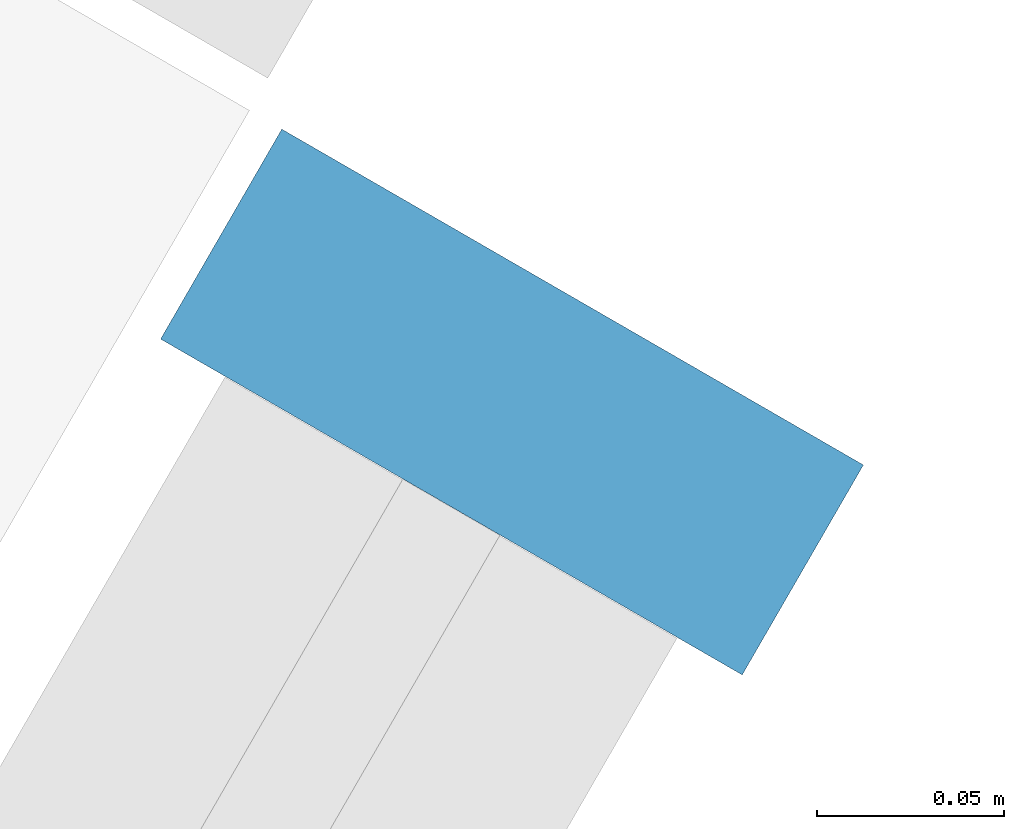
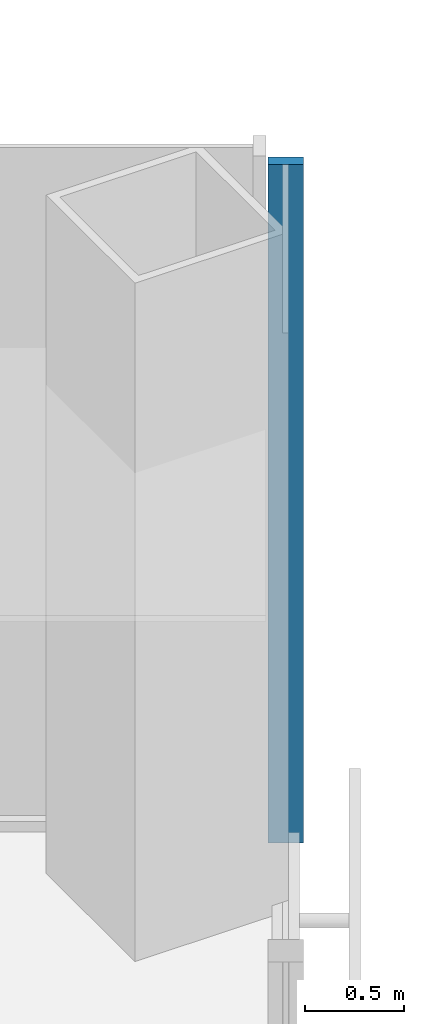
# One storey, part 8 of 16: 1 member, 1 element without a shape of its own.
"""IFC4 building model written with IfcOpenShell, lengths in metres."""

from ifc_helpers import new_model, si_unit, direction, frame, origin, origin_2d, place, context, subcontext, project, spatial, rectangle, extrude, material, material_profile, profile_set, type_object, element, aggregate, save


model = new_model("IFC4")

# Units and contexts
model_context = context("Model", 3, precision=1e-05, world=origin(), true_north=direction((0.0, 1.0)))
body_context = subcontext(model_context, "Body", "Model", "MODEL_VIEW")
ifc_project = project(units=[si_unit("LENGTHUNIT", "METRE"), si_unit("AREAUNIT", "SQUARE_METRE"), si_unit("VOLUMEUNIT", "CUBIC_METRE"), si_unit("PLANEANGLEUNIT", "RADIAN"), si_unit("MASSUNIT", "GRAM", prefix="KILO")], contexts=[model_context])

# Site, building, storey
site_placement = place(None, origin())
site = spatial("IfcSite", under=ifc_project, at=site_placement, CompositionType="ELEMENT")
building_placement = place(site_placement, origin())
building = spatial("IfcBuilding", under=site, at=building_placement, Name="Kasaneha Research Tower", CompositionType="ELEMENT")
storey_placement = place(building_placement, frame((0.0, 0.0, 10.0)))
storey = spatial("IfcBuildingStorey", under=building, at=storey_placement, Name="L03", CompositionType="ELEMENT", Elevation=10.0)

# Curtain wall, member
ifc_material_1 = material(Name="Glass and aluminium", Category="aluminium")
curtain_wall_type = type_object("IfcCurtainWallType", Name="Wet laboratory curtain wall", PredefinedType="USERDEFINED", material=ifc_material_1)
curtain_wall_placement = place(storey_placement, origin())
curtain_wall = element("IfcCurtainWall", 1, at=curtain_wall_placement, inside=storey, type_object=curtain_wall_type, Name="CW-L1 L03 run 05a", ObjectType="UNITISED CURTAIN WALL", PredefinedType="USERDEFINED")
ifc_material_2 = material(Name="Aluminium 6063-T6", Category="aluminium")
ifc_material_profile = material_profile(ifc_material_2, rectangle(XDim=0.06494140625, YDim=0.179931640625, at=origin_2d()), Name="CW-L1 mullion 65x180")
ifc_profile_set = profile_set([ifc_material_profile], Name="Aluminium 6063-T6")
member_type = type_object("IfcMemberType", Name="CW-L1 mullion", PredefinedType="MULLION", material=ifc_profile_set)
member_placement = place(storey_placement, frame((32.01171875, -6.39501953125, 0.0), z_axis=(0.0, 0.0, 1.0), x_axis=(0.500000011442, 0.866025397178, 0.0)))
member = element("IfcMember", 2, at=member_placement, type_object=member_type, Name="CW-L1 mullion 4", PredefinedType="MULLION", context=body_context, shape_type="SweptSolid", body=[
    extrude(rectangle(XDim=0.06494140625, YDim=0.179931640625, at=origin_2d()), origin(), (0.0, 0.0, 1.0), 4.199951171875),
])
aggregate(curtain_wall, [member])

save(model, "model.ifc")
